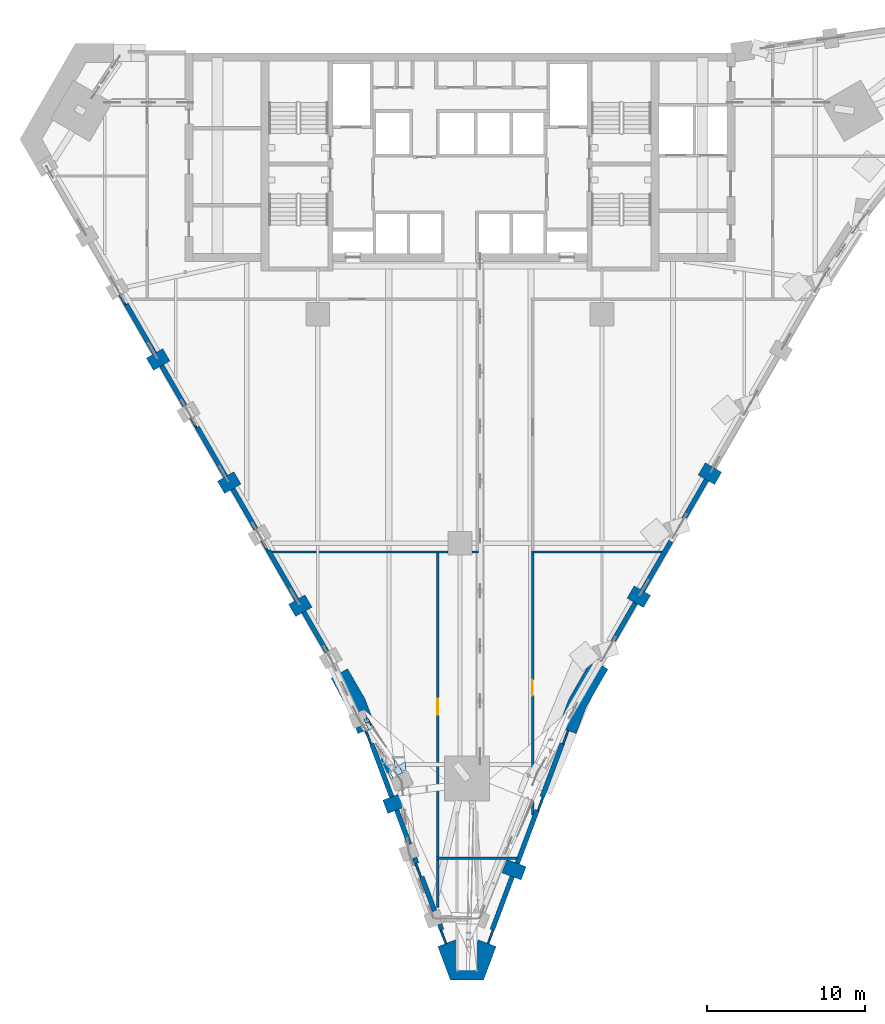
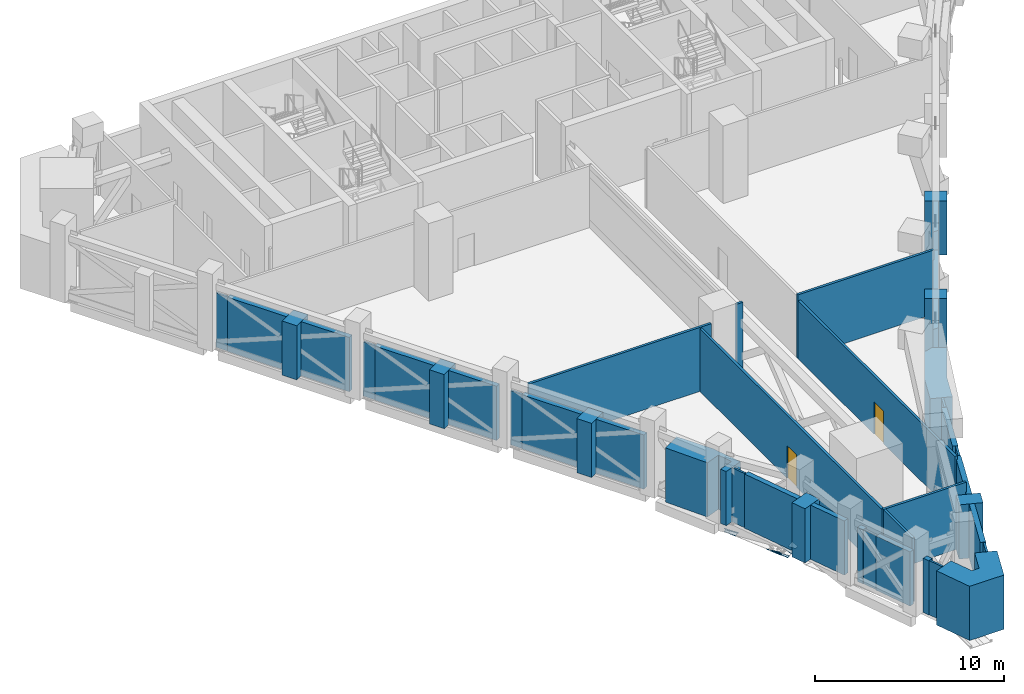
# One storey, part 8 of 20: 43 walls, 10 plates, 2 doors, 2 openings.
"""IFC4 building model written with IfcOpenShell, lengths in metres."""

from ifc_helpers import new_model, si_unit, direction, frame, frame_2d, origin, place, context, subcontext, project, spatial, polyline, rectangle, outline, extrude, material, layer, layer_set, type_object, element, fill, save


model = new_model("IFC4")

# Units and contexts
model_context = context("Model", 3, precision=1e-05, world=origin(), true_north=direction((0.0, 1.0)))
body_context = subcontext(model_context, "Body", "Model", "MODEL_VIEW")
ifc_project = project(units=[si_unit("LENGTHUNIT", "METRE"), si_unit("AREAUNIT", "SQUARE_METRE"), si_unit("VOLUMEUNIT", "CUBIC_METRE"), si_unit("PLANEANGLEUNIT", "RADIAN"), si_unit("MASSUNIT", "GRAM", prefix="KILO")], contexts=[model_context])

# Site, building, storey
site_placement = place(None, origin())
site = spatial("IfcSite", under=ifc_project, at=site_placement, CompositionType="ELEMENT")
building_placement = place(site_placement, origin())
building = spatial("IfcBuilding", under=site, at=building_placement, Name="Calabash Gate Tower", CompositionType="ELEMENT")
storey_placement = place(building_placement, frame((0.0, 0.0, 139.60009765625)))
storey = spatial("IfcBuildingStorey", under=building, at=storey_placement, Name="L32", CompositionType="ELEMENT", Elevation=139.60009765625)

# Plates
ifc_material_1 = material(Name="Dark tinted laminated glass", Category="glass")
ifc_layer_1 = layer(ifc_material_1, 0.030029296875)
ifc_layer_set_1 = layer_set([ifc_layer_1], Name="Dark glass soffit plate 30")
plate_type_1 = type_object("IfcPlateType", Name="Dark glass soffit plate 30", PredefinedType="SHEET", material=ifc_layer_set_1)
plate_1_placement = place(storey_placement, frame((-3.402099609375, -26.343994140625, -0.988037109375), z_axis=(-0.025430801343, -0.012236740591, 0.999601688936), x_axis=(-0.836853594865, -0.546711088619, -0.027982965219)))
element("IfcPlate", 1, at=plate_1_placement, inside=storey, type_object=plate_type_1, Name="Dark glass soffit SOF-Z3-S-33", PredefinedType="SHEET", context=body_context, shape_type="SweptSolid", body=[
    extrude(outline(polyline([(0.0, 0.0), (0.26171875, 0.0), (0.26123046875, -0.470458984375), (-0.227294921875, -0.47021484375), (0.0, 0.0)])), origin(), (0.0, 0.0, -1.0), 0.030029296875),
])
plate_2_placement = place(storey_placement, frame((-4.2041015625, -25.593017578125, -1.0), z_axis=(-0.026007477374, -0.011108783933, 0.999600023029), x_axis=(0.546360996282, -0.83753541945, 0.004907434098)))
element("IfcPlate", 2, at=plate_2_placement, inside=storey, type_object=plate_type_1, Name="Dark glass soffit SOF-Z3-S-42", PredefinedType="SHEET", context=body_context, shape_type="SweptSolid", body=[
    extrude(outline(polyline([(0.0, 0.0), (0.596923828125, 0.0), (0.596923828125, -0.289306640625), (0.0, 0.0)])), origin(), (0.0, 0.0, -1.0), 0.030029296875),
])
plate_3_placement = place(storey_placement, frame((-4.56005859375, -26.5380859375, -1.02001953125), z_axis=(-0.024047492936, -0.010735050181, 0.999653178248), x_axis=(0.839571428399, 0.542625637292, 0.026023727034)))
element("IfcPlate", 3, at=plate_3_placement, inside=storey, type_object=plate_type_1, Name="Dark glass soffit SOF-Z3-S-43", PredefinedType="SHEET", context=body_context, shape_type="SweptSolid", body=[
    extrude(outline(polyline([(0.0, 0.0), (0.1142578125, 0.0), (0.1162109375, -0.459716796875), (-0.068115234375, -0.449951171875), (0.0, 0.0)])), origin(), (0.0, 0.0, -1.0), 0.030029296875),
])
plate_4_placement = place(storey_placement, frame((-5.9619140625, -23.091064453125, -1.01611328125), z_axis=(-0.024011399439, -0.01160452909, 0.99964433055), x_axis=(0.585747187495, -0.810480417529, 0.004661023891)))
element("IfcPlate", 4, at=plate_4_placement, inside=storey, type_object=plate_type_1, Name="Dark glass soffit SOF-Z3-S-45", PredefinedType="SHEET", context=body_context, shape_type="SweptSolid", body=[
    extrude(outline(polyline([(0.0, 0.0), (0.254150390625, 0.0), (0.25439453125, -0.19384765625), (-0.02685546875, -0.135986328125), (0.0, 0.0)])), origin(), (0.0, 0.0, -1.0), 0.030029296875),
])
plate_5_placement = place(storey_placement, frame((-4.865966796875, -25.860107421875, -1.02001953125), z_axis=(-0.02363241664, -0.010663096165, 0.999663847133), x_axis=(0.546395076393, -0.837518090972, 0.003983439196)))
element("IfcPlate", 5, at=plate_5_placement, inside=storey, type_object=plate_type_1, Name="Dark glass soffit SOF-Z3-S-46", PredefinedType="SHEET", context=body_context, shape_type="SweptSolid", body=[
    extrude(outline(polyline([(0.0, 0.0), (0.7353515625, 0.0), (0.73486328125, -0.1142578125), (0.0, 0.0)])), origin(), (0.0, 0.0, -1.0), 0.030029296875),
])
plate_6_placement = place(storey_placement, frame((-4.464111328125, -26.47607421875, -1.01708984375), z_axis=(-0.025187357126, -0.011601466952, 0.999615427555), x_axis=(-0.546393467981, 0.837518834041, -0.004047316821)))
element("IfcPlate", 6, at=plate_6_placement, inside=storey, type_object=plate_type_1, Name="Dark glass soffit SOF-Z3-S-47", PredefinedType="SHEET", context=body_context, shape_type="SweptSolid", body=[
    extrude(outline(polyline([(0.0, 0.0), (0.7353515625, 0.0), (0.90234375, -0.0263671875), (0.000244140625, -0.069580078125), (0.0, 0.0)])), origin(), (0.0, 0.0, -1.0), 0.030029296875),
])
ifc_material_2 = material(Name="Dark bronze anodised aluminium panel", Category="aluminium")
ifc_layer_2 = layer(ifc_material_2, 0.030029296875)
ifc_layer_set_2 = layer_set([ifc_layer_2], Name="Dark soffit panel plate 30")
plate_type_2 = type_object("IfcPlateType", Name="Dark soffit panel plate 30", PredefinedType="SHEET", material=ifc_layer_set_2)
plate_7_placement = place(storey_placement, frame((-4.1201171875, -26.2509765625, -1.005126953125), z_axis=(-0.025910165277, -0.012386027607, 0.999587539766), x_axis=(0.837253034177, 0.546074064996, 0.028468795184)))
element("IfcPlate", 7, at=plate_7_placement, inside=storey, type_object=plate_type_2, Name="Dark soffit panel SOF-Z3-S-31", PredefinedType="SHEET", context=body_context, shape_type="SweptSolid", body=[
    extrude(outline(polyline([(0.0, 0.0), (0.289306640625, 0.0), (0.2890625, -0.470458984375), (-0.2275390625, -0.469970703125), (0.0, 0.0)])), origin(), (0.0, 0.0, -1.0), 0.030029296875),
])
plate_8_placement = place(storey_placement, frame((-5.969970703125, -23.410888671875, -1.02001953125), z_axis=(-0.024751647151, -0.010668153444, 0.999636707242), x_axis=(0.809431129771, 0.58662545429, 0.026302519592)))
element("IfcPlate", 8, at=plate_8_placement, inside=storey, type_object=plate_type_2, Name="Dark soffit panel SOF-Z3-S-40", PredefinedType="SHEET", context=body_context, shape_type="SweptSolid", body=[
    extrude(outline(polyline([(0.0, 0.0), (0.19384765625, 0.0), (0.193115234375, -0.46484375), (-0.095703125, -0.46435546875), (0.0, 0.0)])), origin(), (0.0, 0.0, -1.0), 0.030029296875),
])
plate_9_placement = place(storey_placement, frame((-5.48291015625, -23.632080078125, -1.010009765625), z_axis=(-0.028825679134, -0.013107033038, 0.999498517211), x_axis=(-0.810107528589, -0.5854590015, -0.031041096734)))
element("IfcPlate", 9, at=plate_9_placement, inside=storey, type_object=plate_type_2, Name="Dark soffit panel SOF-Z3-S-48", PredefinedType="SHEET", context=body_context, shape_type="SweptSolid", body=[
    extrude(outline(polyline([(0.0, 0.0), (0.07177734375, 0.0), (0.071533203125, -0.46484375), (-0.02197265625, -0.46435546875), (0.0, 0.0)])), origin(), (0.0, 0.0, -1.0), 0.030029296875),
])
plate_10_placement = place(storey_placement, frame((-5.883056640625, -23.053955078125, -1.01416015625), z_axis=(-0.02610540667, -0.011787888477, 0.999589692538), x_axis=(-0.41962250074, 0.907698679087, -0.000254669723)))
element("IfcPlate", 10, at=plate_10_placement, inside=storey, type_object=plate_type_2, Name="Dark soffit panel SOF-Z3-S-49", PredefinedType="SHEET", context=body_context, shape_type="SweptSolid", body=[
    extrude(outline(polyline([(0.0, 0.0), (0.135498046875, 0.0), (-0.232666015625, -0.05322265625), (-0.25, 0.038330078125), (-0.00048828125, 0.087158203125), (0.0, 0.0)])), origin(), (0.0, 0.0, -1.0), 0.030029296875),
])

# Walls
ifc_material_3 = material(Name="Terracotta brick masonry, exposed face", Category="masonry")
ifc_layer_3 = layer(ifc_material_3, 1.199951171875)
ifc_layer_set_3 = layer_set([ifc_layer_3], Name="Brick end wall 1200")
wall_type_1 = type_object("IfcWallType", Name="Brick end wall 1200", PredefinedType="SOLIDWALL", material=ifc_layer_set_3)
wall_1_placement = place(storey_placement, frame((-18.58935546875, -0.067138671875, 0.0), z_axis=(0.0, 0.0, 1.0), x_axis=(-0.865955154139, -0.50012165622, 0.0)))
element("IfcWall", 11, at=wall_1_placement, inside=storey, type_object=wall_type_1, Name="Brick pier L32 SW0.3", PredefinedType="SOLIDWALL", context=body_context, shape_type="SweptSolid", body=[
    extrude(rectangle(XDim=1.199951171875, YDim=0.89990234375, at=frame_2d((0.60009765625, 0.0))), origin(), (0.0, 0.0, 1.0), 3.5),
])
for number, where, z_axis, x_axis, name in (
    (12, (-15.12841796875, -8.46142578125, 0.0), (0.0, 0.0, 1.0), (0.866043267704, 0.499969057507, 0.0), "Brick pier L32 SW0.5"),
    (13, (-9.58935546875, -15.65576171875, 0.0), (0.0, 0.0, 1.0), (-0.866043267704, -0.499969057507, 0.0), "Brick pier L32 SW0.7"),
):
    element("IfcWall", number, at=place(storey_placement, frame(where, z_axis=z_axis, x_axis=x_axis)), inside=storey, type_object=wall_type_1, Name=name, PredefinedType="SOLIDWALL", context=body_context, shape_type="SweptSolid", body=[
        extrude(rectangle(XDim=1.19970703125, YDim=0.89990234375, at=frame_2d((0.599853515625, 0.0))), origin(), (0.0, 0.0, 1.0), 3.5),
    ])
wall_2_placement = place(storey_placement, frame((-4.725341796875, -28.68505859375, 0.0), z_axis=(0.0, 0.0, 1.0), x_axis=(0.936086483131, 0.351769947693, 0.0)))
element("IfcWall", 14, at=wall_2_placement, inside=storey, type_object=wall_type_1, Name="Brick pier L32 wedge1.1", PredefinedType="SOLIDWALL", context=body_context, shape_type="SweptSolid", body=[
    extrude(rectangle(XDim=1.199951171875, YDim=0.89990234375, at=frame_2d((0.60009765625, 0.0))), origin(), (0.0, 0.0, 1.0), 3.5),
])
wall_3_placement = place(storey_placement, frame((2.81689453125, -32.441162109375, 0.0), z_axis=(0.0, 0.0, 1.0), x_axis=(0.936096948182, -0.351742098141, 0.0)))
element("IfcWall", 15, at=wall_3_placement, inside=storey, type_object=wall_type_1, Name="Brick pier L32 wedge3.1", PredefinedType="SOLIDWALL", context=body_context, shape_type="SweptSolid", body=[
    extrude(rectangle(XDim=1.29736328125, YDim=0.89990234375, at=frame_2d((0.648681640625, 0.0))), origin(), (0.0, 0.0, 1.0), 3.5),
])
for number, where, z_axis, x_axis, name in (
    (16, (11.846923828125, -15.685302734375, 0.0), (0.0, 0.0, 1.0), (-0.866094119867, 0.499880961361, 0.0), "Brick pier L32 SE4.1"),
    (17, (16.346923828125, -7.89111328125, 0.0), (0.0, 0.0, 1.0), (-0.866094119867, 0.499880961361, 0.0), "Brick pier L32 SE4.3"),
):
    element("IfcWall", number, at=place(storey_placement, frame(where, z_axis=z_axis, x_axis=x_axis)), inside=storey, type_object=wall_type_1, Name=name, PredefinedType="SOLIDWALL", context=body_context, shape_type="SweptSolid", body=[
        extrude(rectangle(XDim=1.199951171875, YDim=0.89990234375, at=frame_2d((0.60009765625, 0.0))), origin(), (0.0, 0.0, 1.0), 3.5),
    ])
wall_4_placement = place(storey_placement, origin())
element("IfcWall", 18, at=wall_4_placement, inside=storey, type_object=wall_type_1, Name="Brick end wall L32 1", PredefinedType="SOLIDWALL", context=body_context, shape_type="SweptSolid", body=[
    extrude(outline(polyline([(-7.1142578125, -19.942626953125), (-8.153564453125, -20.54248046875), (-6.917724609375, -22.852294921875), (-6.06298828125, -22.531005859375), (-5.746337890625, -23.37353515625), (-6.60107421875, -23.69482421875), (-6.466796875, -24.0517578125), (-5.343505859375, -23.62939453125), (-6.01123046875, -21.853271484375), (-7.1142578125, -19.942626953125)])), origin(), (0.0, 0.0, 1.0), 3.5),
])
wall_5_placement = place(storey_placement, origin())
element("IfcWall", 19, at=wall_5_placement, inside=storey, type_object=wall_type_1, Name="Brick end wall L32 2", PredefinedType="SOLIDWALL", context=body_context, shape_type="SweptSolid", body=[
    extrude(outline(polyline([(-0.27734375, -37.10888671875), (-1.400634765625, -37.531005859375), (-0.604248046875, -39.64990234375), (1.493408203125, -39.64990234375), (2.289794921875, -37.531005859375), (1.16650390625, -37.10888671875), (0.662353515625, -38.449951171875), (0.226806640625, -38.449951171875), (-0.27734375, -37.10888671875)])), origin(), (0.0, 0.0, 1.0), 3.5),
])
wall_6_placement = place(storey_placement, origin())
element("IfcWall", 20, at=wall_6_placement, inside=storey, type_object=wall_type_1, Name="Brick end wall L32 3", PredefinedType="SOLIDWALL", context=body_context, shape_type="SweptSolid", body=[
    extrude(outline(polyline([(6.232666015625, -23.62939453125), (7.35595703125, -24.0517578125), (7.98876953125, -22.36767578125), (9.371826171875, -19.97216796875), (8.688720703125, -19.57763671875), (8.2958984375, -19.69189453125), (8.14794921875, -19.69189453125), (6.900390625, -21.853271484375), (6.232666015625, -23.62939453125)])), origin(), (0.0, 0.0, 1.0), 3.5),
])
ifc_material_4 = material(Name="Gypsum board on steel studs, mineral wool", Category="steel")
ifc_layer_4 = layer(ifc_material_4, 0.14990234375)
ifc_layer_set_4 = layer_set([ifc_layer_4], Name="Partition 150 gypsum board")
wall_type_2 = type_object("IfcWallType", Name="Partition 150 gypsum board", PredefinedType="PARTITIONING", material=ifc_layer_set_4)
wall_7_placement = place(storey_placement, frame((-1.39990234375, -35.049560546875, 0.0), z_axis=(0.0, 0.0, 1.0), x_axis=(0.0, 1.0, 0.0)))
element("IfcWall", 21, at=wall_7_placement, inside=storey, type_object=wall_type_2, Name="Partition", PredefinedType="PARTITIONING", context=body_context, shape_type="SweptSolid", body=[
    extrude(rectangle(XDim=3.027099609375, YDim=0.14990234375, at=frame_2d((1.513671875, 0.0))), origin(), (0.0, 0.0, 1.0), 4.1298828125),
])
wall_8_placement = place(storey_placement, frame((-1.47509765625, -31.947509765625, 0.0), z_axis=(0.0, 0.0, 1.0), x_axis=(1.0, 0.0, 0.0)))
element("IfcWall", 22, at=wall_8_placement, inside=storey, type_object=wall_type_2, Name="Partition", PredefinedType="PARTITIONING", context=body_context, shape_type="SweptSolid", body=[
    extrude(rectangle(XDim=5.082275390625, YDim=0.14990234375, at=frame_2d((2.541015625, 0.0))), origin(), (0.0, 0.0, 1.0), 4.1298828125),
])

# Wall, opening, door
wall_9_placement = place(storey_placement, frame((-1.39990234375, -31.872314453125, 0.0), z_axis=(0.0, 0.0, 1.0), x_axis=(0.0, 1.0, 0.0)))
wall_9 = element("IfcWall", 23, at=wall_9_placement, inside=storey, type_object=wall_type_2, Name="Partition", PredefinedType="PARTITIONING", context=body_context, shape_type="SweptSolid", body=[
    extrude(rectangle(XDim=19.25, YDim=0.14990234375, at=frame_2d((9.625, 0.0))), origin(), (0.0, 0.0, 1.0), 4.050048828125),
])
opening_1_placement = place(wall_9_placement, frame((9.02490234375, 0.0, 0.0)))
opening_1 = element("IfcOpeningElement", 24, at=opening_1_placement, cuts=wall_9, Name="Opening L32-026", PredefinedType="OPENING", context=body_context, shape_type="SweptSolid", body=[
    extrude(rectangle(XDim=1.0, YDim=2.10009765625, at=frame_2d((0.5, 1.050048828125))), frame((0.0, 0.0849609375, 0.0), z_axis=(0.0, -1.0, 0.0), x_axis=(1.0, 0.0, 0.0)), (0.0, 0.0, 1.0), 0.169921875),
])
ifc_material_5 = material(Name="Steel fire door set with fire-resisting glazing", Category="steel")
door_type = type_object("IfcDoorType", Name="Fire door D11 1000x2100 FD60", OperationType="NOTDEFINED", PredefinedType="DOOR", material=ifc_material_5)
door_1_placement = place(opening_1_placement, origin())
door_1 = element("IfcDoor", 25, at=door_1_placement, inside=storey, type_object=door_type, Name="Air Handling Plant Room door", OperationType="SINGLE_SWING_RIGHT", OverallHeight=2.10009765625, OverallWidth=1.0, PredefinedType="DOOR", context=body_context, shape_type="SweptSolid", body=[
    extrude(rectangle(XDim=1.0, YDim=2.10009765625, at=frame_2d((0.5, 1.050048828125))), frame((0.0, 0.02490234375, 0.0), z_axis=(0.0, -1.0, 0.0), x_axis=(1.0, 0.0, 0.0)), (0.0, 0.0, 1.0), 0.050048828125),
])
fill(opening_1, door_1)

wall_10_placement = place(storey_placement, frame((4.60009765625, -29.195556640625, 0.0), z_axis=(0.0, 0.0, 1.0), x_axis=(0.0, 1.0, 0.0)))
wall_10 = element("IfcWall", 26, at=wall_10_placement, inside=storey, type_object=wall_type_2, Name="Partition", PredefinedType="PARTITIONING", context=body_context, shape_type="SweptSolid", body=[
    extrude(rectangle(XDim=16.5732421875, YDim=0.14990234375, at=frame_2d((8.28662109375, 0.0))), origin(), (0.0, 0.0, 1.0), 3.751953125),
])
opening_2_placement = place(wall_10_placement, frame((7.548095703125, 0.0, 0.0)))
opening_2 = element("IfcOpeningElement", 27, at=opening_2_placement, cuts=wall_10, Name="Opening L32-028", PredefinedType="OPENING", context=body_context, shape_type="SweptSolid", body=[
    extrude(rectangle(XDim=1.0, YDim=2.10009765625, at=frame_2d((0.5, 1.050048828125))), frame((0.0, 0.0849609375, 0.0), z_axis=(0.0, -1.0, 0.0), x_axis=(1.0, 0.0, 0.0)), (0.0, 0.0, 1.0), 0.169921875),
])
door_2_placement = place(opening_2_placement, origin())
door_2 = element("IfcDoor", 28, at=door_2_placement, inside=storey, type_object=door_type, Name="Generator Room door", OperationType="SINGLE_SWING_RIGHT", OverallHeight=2.10009765625, OverallWidth=1.0, PredefinedType="DOOR", context=body_context, shape_type="SweptSolid", body=[
    extrude(rectangle(XDim=1.0, YDim=2.10009765625, at=frame_2d((0.5, 1.050048828125))), frame((0.0, 0.02490234375, 0.0), z_axis=(0.0, -1.0, 0.0), x_axis=(1.0, 0.0, 0.0)), (0.0, 0.0, 1.0), 0.050048828125),
])
fill(opening_2, door_2)

# Walls
wall_11_placement = place(storey_placement, frame((-11.923583984375, -12.54736328125, 0.0), z_axis=(0.0, 0.0, 1.0), x_axis=(1.0, 0.0, 0.0)))
element("IfcWall", 29, at=wall_11_placement, inside=storey, type_object=wall_type_2, Name="Partition", PredefinedType="PARTITIONING", context=body_context, shape_type="SweptSolid", body=[
    extrude(rectangle(XDim=11.153564453125, YDim=0.14990234375, at=frame_2d((5.57666015625, 0.0))), origin(), (0.0, 0.0, 1.0), 4.1298828125),
])
wall_12_placement = place(storey_placement, frame((0.77001953125, -12.54736328125, 0.0), z_axis=(0.0, 0.0, 1.0), x_axis=(1.0, 0.0, 0.0)))
element("IfcWall", 30, at=wall_12_placement, inside=storey, type_object=wall_type_2, Name="Partition", PredefinedType="PARTITIONING", context=body_context, shape_type="SweptSolid", body=[
    extrude(rectangle(XDim=0.405029296875, YDim=0.14990234375, at=frame_2d((0.20263671875, 0.0))), origin(), (0.0, 0.0, 1.0), 4.829833984375),
])
wall_13_placement = place(storey_placement, frame((4.52490234375, -12.54736328125, 0.0), z_axis=(0.0, 0.0, 1.0), x_axis=(1.0, 0.0, 0.0)))
element("IfcWall", 31, at=wall_13_placement, inside=storey, type_object=wall_type_2, Name="Partition", PredefinedType="PARTITIONING", context=body_context, shape_type="SweptSolid", body=[
    extrude(rectangle(XDim=8.28759765625, YDim=0.14990234375, at=frame_2d((4.143798828125, 0.0))), origin(), (0.0, 0.0, 1.0), 4.1298828125),
])
ifc_material_6 = material(Name="Terracotta brick masonry, perforated", Category="masonry")
ifc_layer_5 = layer(ifc_material_6, 0.1201171875)
ifc_layer_set_5 = layer_set([ifc_layer_5], Name="Terracotta jaali cladding A 120")
wall_type_3 = type_object("IfcWallType", Name="Terracotta jaali cladding A 120", PredefinedType="SOLIDWALL", material=ifc_layer_set_5)
for number, where, z_axis, x_axis, name in (
    (32, (-21.18798828125, 3.113525390625, 0.0), (0.0, 0.0, 1.0), (-0.499791036624, 0.866146015237, 0.0), "Jaali cladding L32 SW0.c1"),
    (33, (-16.68798828125, -4.6806640625, 0.0), (0.0, 0.0, 1.0), (-0.499791036624, 0.866146015237, 0.0), "Jaali cladding L32 SW0.c2"),
):
    element("IfcWall", number, at=place(storey_placement, frame(where, z_axis=z_axis, x_axis=x_axis)), inside=storey, type_object=wall_type_3, Name=name, PredefinedType="SOLIDWALL", context=body_context, shape_type="SweptSolid", body=[
        extrude(rectangle(XDim=0.718994140625, YDim=0.1201171875, at=frame_2d((0.359375, 0.0))), origin(), (0.0, 0.0, 1.0), 3.5),
    ])
wall_14_placement = place(storey_placement, frame((-12.18798828125, -12.474853515625, 0.0), z_axis=(0.0, 0.0, 1.0), x_axis=(-0.499898722045, 0.866083868743, 0.0)))
element("IfcWall", 34, at=wall_14_placement, inside=storey, type_object=wall_type_3, Name="Jaali cladding L32 SW0.c3", PredefinedType="SOLIDWALL", context=body_context, shape_type="SweptSolid", body=[
    extrude(rectangle(XDim=0.719482421875, YDim=0.1201171875, at=frame_2d((0.35986328125, 0.0))), origin(), (0.0, 0.0, 1.0), 3.5),
])
for number, where, z_axis, x_axis, name in (
    (35, (-5.9599609375, -23.865478515625, 0.0), (0.0, 0.0, 1.0), (0.351955759527, -0.936016636249, 0.0), "Jaali cladding L32 wedge1.c4"),
    (36, (-2.79345703125, -32.2900390625, 0.0), (0.0, 0.0, 1.0), (0.351709233717, -0.93610929646, 0.0), "Jaali cladding L32 wedge1.c5"),
):
    element("IfcWall", number, at=place(storey_placement, frame(where, z_axis=z_axis, x_axis=x_axis)), inside=storey, type_object=wall_type_3, Name=name, PredefinedType="SOLIDWALL", context=body_context, shape_type="SweptSolid", body=[
        extrude(rectangle(XDim=0.86767578125, YDim=0.1201171875, at=frame_2d((0.433837890625, 0.0))), origin(), (0.0, 0.0, 1.0), 3.5),
    ])
wall_15_placement = place(storey_placement, frame((-1.21044921875, -36.502197265625, 0.0), z_axis=(0.0, 0.0, 1.0), x_axis=(0.351957262509, -0.936016071105, 0.0)))
element("IfcWall", 37, at=wall_15_placement, inside=storey, type_object=wall_type_3, Name="Jaali cladding L32 wedge1.c6", PredefinedType="SOLIDWALL", context=body_context, shape_type="SweptSolid", body=[
    extrude(rectangle(XDim=0.898193359375, YDim=0.1201171875, at=frame_2d((0.44921875, 0.0))), origin(), (0.0, 0.0, 1.0), 3.5),
])
for number, where, z_axis, x_axis, name in (
    (38, (2.091064453125, -36.52490234375, 0.0), (0.0, 0.0, 1.0), (-0.351955759527, -0.936016636249, 0.0), "Jaali cladding L32 wedge3.c7"),
    (39, (5.25732421875, -28.100341796875, 0.0), (0.0, 0.0, 1.0), (-0.351709233717, -0.93610929646, 0.0), "Jaali cladding L32 wedge3.c8"),
):
    element("IfcWall", number, at=place(storey_placement, frame(where, z_axis=z_axis, x_axis=x_axis)), inside=storey, type_object=wall_type_3, Name=name, PredefinedType="SOLIDWALL", context=body_context, shape_type="SweptSolid", body=[
        extrude(rectangle(XDim=0.86767578125, YDim=0.1201171875, at=frame_2d((0.433837890625, 0.0))), origin(), (0.0, 0.0, 1.0), 3.5),
    ])
wall_16_placement = place(storey_placement, frame((6.851318359375, -23.85986328125, 0.0), z_axis=(0.0, 0.0, 1.0), x_axis=(-0.352046818796, -0.935982391595, 0.0)))
element("IfcWall", 40, at=wall_16_placement, inside=storey, type_object=wall_type_3, Name="Jaali cladding L32 wedge3.c9", PredefinedType="SOLIDWALL", context=body_context, shape_type="SweptSolid", body=[
    extrude(rectangle(XDim=0.89794921875, YDim=0.1201171875, at=frame_2d((0.448974609375, 0.0))), origin(), (0.0, 0.0, 1.0), 3.5),
])
ifc_material_7 = material(Name="Terracotta louvre blades in an aluminium frame", Category="masonry")
ifc_layer_6 = layer(ifc_material_7, 0.300048828125)
ifc_layer_set_6 = layer_set([ifc_layer_6], Name="Terracotta louvre wall 300")
wall_type_4 = type_object("IfcWallType", Name="Terracotta louvre wall 300", PredefinedType="ELEMENTEDWALL", material=ifc_layer_set_6)
wall_17_placement = place(storey_placement, frame((-21.134033203125, 3.14013671875, 0.0), z_axis=(0.0, 0.0, 1.0), x_axis=(0.500012057535, -0.866018442252, 0.0)))
element("IfcWall", 41, at=wall_17_placement, inside=storey, type_object=wall_type_4, Name="LOUVRE L32 SW0.3", PredefinedType="ELEMENTEDWALL", context=body_context, shape_type="SweptSolid", body=[
    extrude(rectangle(XDim=3.60009765625, YDim=0.300048828125, at=frame_2d((1.800048828125, 0.0))), origin(), (0.0, 0.0, 1.0), 3.5),
])
wall_18_placement = place(storey_placement, origin())
element("IfcWall", 42, at=wall_18_placement, inside=storey, type_object=wall_type_4, Name="LOUVRE L32 SW0.4", PredefinedType="ELEMENTEDWALL", context=body_context, shape_type="SweptSolid", body=[
    extrude(outline(polyline([(-19.013916015625, -0.83203125), (-17.54296875, -3.37939453125), (-17.283203125, -3.2294921875), (-18.75390625, -0.681884765625), (-19.013916015625, -0.83203125)])), origin(), (0.0, 0.0, 1.0), 3.5),
])
wall_19_placement = place(storey_placement, frame((-16.634033203125, -4.654052734375, 0.0), z_axis=(0.0, 0.0, 1.0), x_axis=(0.500012057535, -0.866018442252, 0.0)))
element("IfcWall", 43, at=wall_19_placement, inside=storey, type_object=wall_type_4, Name="LOUVRE L32 SW0.5", PredefinedType="ELEMENTEDWALL", context=body_context, shape_type="SweptSolid", body=[
    extrude(rectangle(XDim=3.60009765625, YDim=0.300048828125, at=frame_2d((1.800048828125, 0.0))), origin(), (0.0, 0.0, 1.0), 3.5),
])
wall_20_placement = place(storey_placement, origin())
element("IfcWall", 44, at=wall_20_placement, inside=storey, type_object=wall_type_4, Name="LOUVRE L32 SW0.6", PredefinedType="ELEMENTEDWALL", context=body_context, shape_type="SweptSolid", body=[
    extrude(outline(polyline([(-14.513916015625, -8.626220703125), (-13.043212890625, -11.17333984375), (-12.783447265625, -11.0234375), (-14.25390625, -8.47607421875), (-14.513916015625, -8.626220703125)])), origin(), (0.0, 0.0, 1.0), 3.5),
])
wall_21_placement = place(storey_placement, frame((-12.134033203125, -12.4482421875, 0.0), z_axis=(0.0, 0.0, 1.0), x_axis=(0.500012057535, -0.866018442252, 0.0)))
element("IfcWall", 45, at=wall_21_placement, inside=storey, type_object=wall_type_4, Name="LOUVRE L32 SW0.7", PredefinedType="ELEMENTEDWALL", context=body_context, shape_type="SweptSolid", body=[
    extrude(rectangle(XDim=3.60009765625, YDim=0.300048828125, at=frame_2d((1.800048828125, 0.0))), origin(), (0.0, 0.0, 1.0), 3.5),
])
wall_22_placement = place(storey_placement, origin())
element("IfcWall", 46, at=wall_22_placement, inside=storey, type_object=wall_type_4, Name="LOUVRE L32 SW0.8", PredefinedType="ELEMENTEDWALL", context=body_context, shape_type="SweptSolid", body=[
    extrude(outline(polyline([(-10.013916015625, -16.42041015625), (-8.543212890625, -18.967529296875), (-8.283447265625, -18.8173828125), (-9.75390625, -16.2705078125), (-10.013916015625, -16.42041015625)])), origin(), (0.0, 0.0, 1.0), 3.5),
])
wall_23_placement = place(storey_placement, frame((-5.588623046875, -24.68310546875, 0.0), z_axis=(0.0, 0.0, 1.0), x_axis=(0.351851706772, -0.936055754986, 0.0)))
element("IfcWall", 47, at=wall_23_placement, inside=storey, type_object=wall_type_4, Name="LOUVRE L32 wedge1.1", PredefinedType="ELEMENTEDWALL", context=body_context, shape_type="SweptSolid", body=[
    extrude(rectangle(XDim=3.599853515625, YDim=0.300048828125, at=frame_2d((1.7998046875, 0.0))), origin(), (0.0, 0.0, 1.0), 3.5),
])
wall_24_placement = place(storey_placement, origin())
element("IfcWall", 48, at=wall_24_placement, inside=storey, type_object=wall_type_4, Name="LOUVRE L32 wedge1.2a", PredefinedType="ELEMENTEDWALL", context=body_context, shape_type="SweptSolid", body=[
    extrude(outline(polyline([(-4.145751953125, -28.947998046875), (-3.329833984375, -31.118896484375), (-3.049072265625, -31.01318359375), (-3.864990234375, -28.842529296875), (-4.145751953125, -28.947998046875)])), origin(), (0.0, 0.0, 1.0), 3.5),
])
wall_25_placement = place(storey_placement, origin())
element("IfcWall", 49, at=wall_25_placement, inside=storey, type_object=wall_type_4, Name="LOUVRE L32 wedge1.2b", PredefinedType="ELEMENTEDWALL", context=body_context, shape_type="SweptSolid", body=[
    extrude(outline(polyline([(-2.598388671875, -32.21240234375), (-2.732421875, -31.855712890625), (-3.01318359375, -31.961181640625), (-2.879150390625, -32.31787109375), (-2.598388671875, -32.21240234375)])), origin(), (0.0, 0.0, 1.0), 3.5),
])
wall_26_placement = place(storey_placement, origin())
element("IfcWall", 50, at=wall_26_placement, inside=storey, type_object=wall_type_4, Name="LOUVRE L32 wedge1.3a", PredefinedType="ELEMENTEDWALL", context=body_context, shape_type="SweptSolid", body=[
    extrude(outline(polyline([(-2.5625, -33.160400390625), (-1.746826171875, -35.330810546875), (-1.466064453125, -35.225341796875), (-2.28173828125, -33.054931640625), (-2.5625, -33.160400390625)])), origin(), (0.0, 0.0, 1.0), 3.5),
])
wall_27_placement = place(storey_placement, origin())
element("IfcWall", 51, at=wall_27_placement, inside=storey, type_object=wall_type_4, Name="LOUVRE L32 wedge1.3b", PredefinedType="ELEMENTEDWALL", context=body_context, shape_type="SweptSolid", body=[
    extrude(outline(polyline([(-1.01513671875, -36.424560546875), (-1.1494140625, -36.067626953125), (-1.43017578125, -36.17333984375), (-1.2958984375, -36.5302734375), (-1.01513671875, -36.424560546875)])), origin(), (0.0, 0.0, 1.0), 3.5),
])
for number, where, z_axis, x_axis, name in (
    (52, (2.044677734375, -36.4775390625, 0.0), (0.0, 0.0, 1.0), (0.351829371284, 0.936064150314, 0.0), "LOUVRE L32 wedge3.1"),
    (53, (3.6279296875, -32.26513671875, 0.0), (0.0, 0.0, 1.0), (0.351829371284, 0.936064150314, 0.0), "LOUVRE L32 wedge3.2"),
):
    element("IfcWall", number, at=place(storey_placement, frame(where, z_axis=z_axis, x_axis=x_axis)), inside=storey, type_object=wall_type_4, Name=name, PredefinedType="ELEMENTEDWALL", context=body_context, shape_type="SweptSolid", body=[
        extrude(rectangle(XDim=3.60009765625, YDim=0.300048828125, at=frame_2d((1.800048828125, 0.0))), origin(), (0.0, 0.0, 1.0), 3.5),
    ])
wall_28_placement = place(storey_placement, frame((5.211181640625, -28.052734375, 0.0), z_axis=(0.0, 0.0, 1.0), x_axis=(0.351851706772, 0.936055754986, 0.0)))
element("IfcWall", 54, at=wall_28_placement, inside=storey, type_object=wall_type_4, Name="LOUVRE L32 wedge3.3", PredefinedType="ELEMENTEDWALL", context=body_context, shape_type="SweptSolid", body=[
    extrude(rectangle(XDim=3.599853515625, YDim=0.300048828125, at=frame_2d((1.7998046875, 0.0))), origin(), (0.0, 0.0, 1.0), 3.5),
])
wall_29_placement = place(storey_placement, origin())
element("IfcWall", 55, at=wall_29_placement, inside=storey, type_object=wall_type_4, Name="LOUVRE L32 SE4.1", PredefinedType="ELEMENTEDWALL", context=body_context, shape_type="SweptSolid", body=[
    extrude(outline(polyline([(10.972412109375, -15.7001953125), (9.53955078125, -18.181884765625), (9.8759765625, -18.181884765625), (9.8759765625, -18.19921875), (11.232177734375, -15.85009765625), (10.972412109375, -15.7001953125)])), origin(), (0.0, 0.0, 1.0), 3.5),
])
wall_30_placement = place(storey_placement, frame((11.55224609375, -14.99560546875, 0.0), z_axis=(0.0, 0.0, 1.0), x_axis=(0.500012057535, 0.866018442252, 0.0)))
element("IfcWall", 56, at=wall_30_placement, inside=storey, type_object=wall_type_4, Name="LOUVRE L32 SE4.2", PredefinedType="ELEMENTEDWALL", context=body_context, shape_type="SweptSolid", body=[
    extrude(rectangle(XDim=3.60009765625, YDim=0.300048828125, at=frame_2d((1.800048828125, 0.0))), origin(), (0.0, 0.0, 1.0), 3.5),
])
wall_31_placement = place(storey_placement, origin())
element("IfcWall", 57, at=wall_31_placement, inside=storey, type_object=wall_type_4, Name="LOUVRE L32 SE4.3", PredefinedType="ELEMENTEDWALL", context=body_context, shape_type="SweptSolid", body=[
    extrude(outline(polyline([(15.472412109375, -7.90576171875), (14.0400390625, -10.386962890625), (14.3759765625, -10.386962890625), (14.3759765625, -10.40478515625), (15.732177734375, -8.055908203125), (15.472412109375, -7.90576171875)])), origin(), (0.0, 0.0, 1.0), 3.5),
])

save(model, "model.ifc")
